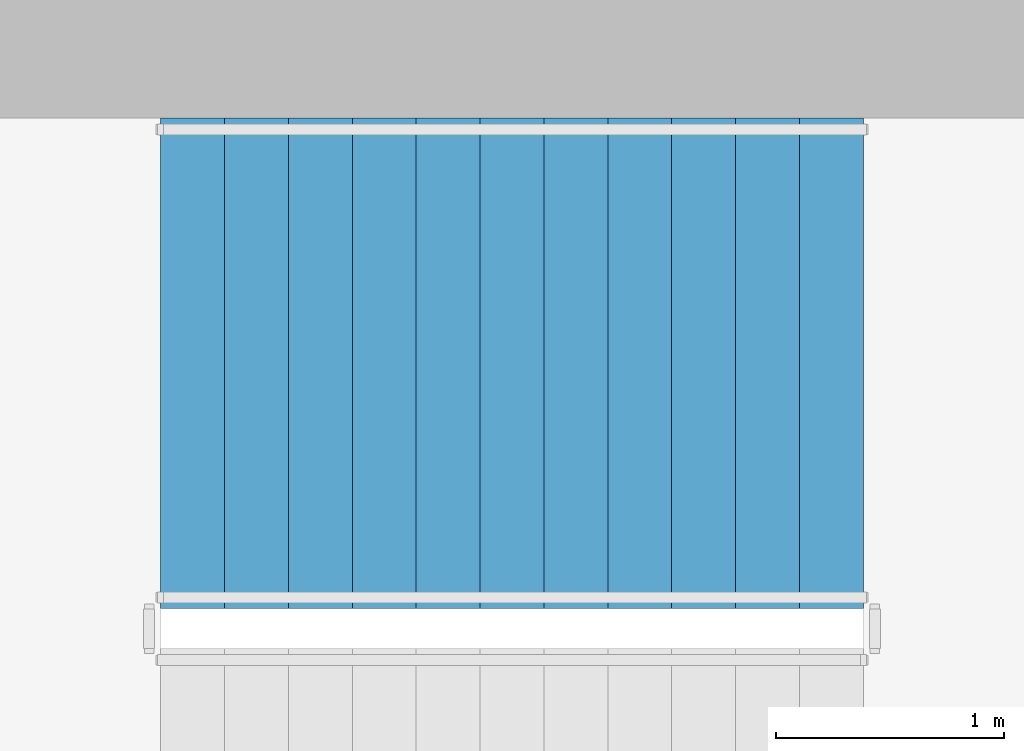
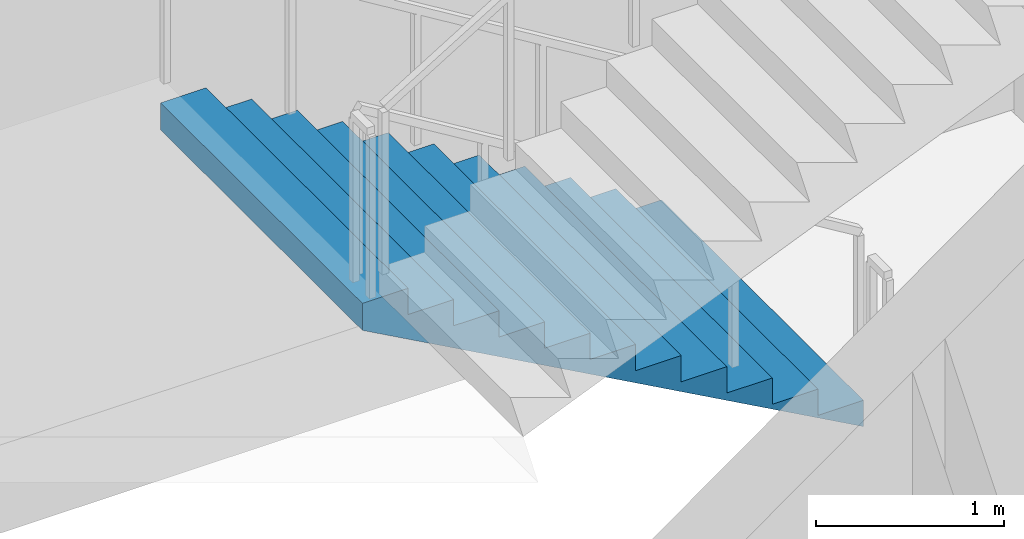
# One storey, part 9 of 14: 1 stair flight, 1 element without a shape of its own.
"""IFC4 building model written with IfcOpenShell, lengths in metres."""

from ifc_helpers import new_model, si_unit, direction, frame, origin, place, context, subcontext, project, spatial, triangles, material, type_object, element, aggregate, save


model = new_model("IFC4")

# Units and contexts
model_context = context("Model", 3, precision=1e-05, world=origin(), true_north=direction((0.0, 1.0)))
body_context = subcontext(model_context, "Body", "Model", "MODEL_VIEW")
ifc_project = project(units=[si_unit("LENGTHUNIT", "METRE"), si_unit("AREAUNIT", "SQUARE_METRE"), si_unit("VOLUMEUNIT", "CUBIC_METRE"), si_unit("PLANEANGLEUNIT", "RADIAN"), si_unit("MASSUNIT", "GRAM", prefix="KILO")], contexts=[model_context])

# Site, building, storey
site_placement = place(None, origin())
site = spatial("IfcSite", under=ifc_project, at=site_placement, CompositionType="ELEMENT")
building_placement = place(site_placement, origin())
building = spatial("IfcBuilding", under=site, at=building_placement, Name="Cypress Arch Tower", CompositionType="ELEMENT")
storey_placement = place(building_placement, frame((0.0, 0.0, 272.10009765625)))
storey = spatial("IfcBuildingStorey", under=building, at=storey_placement, Name="L61", CompositionType="ELEMENT", Elevation=272.10009765625)

# Stair, stair flight
ifc_material_1 = material(Name="Concrete C40/50", Category="concrete")
stair_type = type_object("IfcStairType", Name="Exit stair ES1708-215", PredefinedType="HALF_TURN_STAIR", material=ifc_material_1)
stair_placement = place(storey_placement, origin())
stair = element("IfcStair", 1, at=stair_placement, inside=storey, type_object=stair_type, Name="L61 Exit stair B", PredefinedType="HALF_TURN_STAIR")
ifc_material_2 = material(Name="Concrete C40/50", Category="concrete")
stair_flight_type = type_object("IfcStairFlightType", Name="Exit stair flight ES1708-215", PredefinedType="STRAIGHT", material=ifc_material_2)
stair_flight_placement = place(storey_placement, frame((-22.27490234375, 13.72509765625, 0.0), z_axis=(0.0, 0.0, 1.0), x_axis=(-1.0, 0.0, 0.0)))
stair_flight = element("IfcStairFlight", 2, at=stair_flight_placement, type_object=stair_flight_type, Name="B flight 1", NumberOfRisers=12, NumberOfTreads=11, PredefinedType="STRAIGHT", RiserHeight=0.170833333, TreadLength=0.28, context=body_context, shape_type="Tessellation", body=[
    triangles([(0.0, -1.074951171875, 0.0), (0.000244140625, -1.074951171875, 0.01904296875), (0.000244140625, -1.074951171875, 0.0380859375), (0.00048828125, -1.074951171875, 0.056884765625), (0.00048828125, -1.074951171875, 0.075927734375), (0.00048828125, -1.074951171875, 0.094970703125), (0.00048828125, -1.074951171875, 0.114013671875), (0.000244140625, -1.074951171875, 0.1328125), (0.000244140625, -1.074951171875, 0.15185546875), (0.0, -1.074951171875, 0.1708984375), (0.280029296875, -1.074951171875, 0.1708984375), (0.280029296875, -1.074951171875, 0.341552734375), (0.56005859375, -1.074951171875, 0.341552734375), (0.56005859375, -1.074951171875, 0.512451171875), (0.840087890625, -1.074951171875, 0.512451171875), (0.840087890625, -1.074951171875, 0.683349609375), (1.1201171875, -1.074951171875, 0.683349609375), (1.1201171875, -1.074951171875, 0.854248046875), (1.39990234375, -1.074951171875, 0.854248046875), (1.39990234375, -1.074951171875, 1.02490234375), (1.679931640625, -1.074951171875, 1.02490234375), (1.679931640625, -1.074951171875, 1.19580078125), (1.9599609375, -1.074951171875, 1.19580078125), (1.9599609375, -1.074951171875, 1.36669921875), (2.239990234375, -1.074951171875, 1.36669921875), (2.239990234375, -1.074951171875, 1.53759765625), (2.52001953125, -1.074951171875, 1.53759765625), (2.52001953125, -1.074951171875, 1.708251953125), (2.800048828125, -1.074951171875, 1.708251953125), (2.800048828125, -1.074951171875, 1.879150390625), (3.080078125, -1.074951171875, 1.879150390625), (3.079833984375, -1.074951171875, 1.859619140625), (3.079833984375, -1.074951171875, 1.840087890625), (3.07958984375, -1.074951171875, 1.820556640625), (3.07958984375, -1.074951171875, 1.801025390625), (3.07958984375, -1.074951171875, 1.78173828125), (3.07958984375, -1.074951171875, 1.76220703125), (3.079833984375, -1.074951171875, 1.74267578125), (3.079833984375, -1.074951171875, 1.72314453125), (3.080078125, -1.074951171875, 1.70361328125), (3.080078125, 1.074951171875, 1.70361328125), (3.079833984375, 1.074951171875, 1.72314453125), (3.079833984375, 1.074951171875, 1.74267578125), (3.07958984375, 1.074951171875, 1.76220703125), (3.07958984375, 1.074951171875, 1.78173828125), (3.07958984375, 1.074951171875, 1.801025390625), (3.07958984375, 1.074951171875, 1.820556640625), (3.079833984375, 1.074951171875, 1.840087890625), (3.079833984375, 1.074951171875, 1.859619140625), (3.080078125, 1.074951171875, 1.879150390625), (2.800048828125, 1.074951171875, 1.879150390625), (2.800048828125, 1.074951171875, 1.708251953125), (2.52001953125, 1.074951171875, 1.708251953125), (2.52001953125, 1.074951171875, 1.53759765625), (2.239990234375, 1.074951171875, 1.53759765625), (2.239990234375, 1.074951171875, 1.36669921875), (1.9599609375, 1.074951171875, 1.36669921875), (1.9599609375, 1.074951171875, 1.19580078125), (1.679931640625, 1.074951171875, 1.19580078125), (1.679931640625, 1.074951171875, 1.02490234375), (1.39990234375, 1.074951171875, 1.02490234375), (1.39990234375, 1.074951171875, 0.854248046875), (1.1201171875, 1.074951171875, 0.854248046875), (1.1201171875, 1.074951171875, 0.683349609375), (0.840087890625, 1.074951171875, 0.683349609375), (0.840087890625, 1.074951171875, 0.512451171875), (0.56005859375, 1.074951171875, 0.512451171875), (0.56005859375, 1.074951171875, 0.341552734375), (0.280029296875, 1.074951171875, 0.341552734375), (0.280029296875, 1.074951171875, 0.1708984375), (0.0, 1.074951171875, 0.1708984375), (0.000244140625, 1.074951171875, 0.15185546875), (0.000244140625, 1.074951171875, 0.1328125), (0.00048828125, 1.074951171875, 0.114013671875), (0.00048828125, 1.074951171875, 0.094970703125), (0.00048828125, 1.074951171875, 0.075927734375), (0.00048828125, 1.074951171875, 0.056884765625), (0.000244140625, 1.074951171875, 0.0380859375), (0.000244140625, 1.074951171875, 0.01904296875), (0.0, 1.074951171875, 0.0)], [[40, 39, 30], [39, 38, 30], [38, 37, 30], [37, 36, 30], [36, 35, 30], [35, 34, 30], [34, 33, 30], [33, 32, 30], [32, 31, 30], [19, 18, 17], [27, 26, 25], [25, 24, 23], [23, 22, 21], [17, 16, 15], [15, 14, 13], [10, 9, 11], [9, 8, 11], [8, 7, 11], [7, 6, 11], [6, 5, 11], [5, 4, 11], [4, 3, 11], [3, 2, 11], [2, 1, 11], [29, 28, 27], [21, 20, 19], [13, 12, 11], [40, 30, 29], [40, 29, 27], [40, 27, 25], [40, 25, 23], [40, 23, 21], [40, 21, 19], [40, 19, 17], [40, 17, 15], [40, 15, 13], [1, 40, 13], [13, 11, 1], [41, 51, 42], [42, 51, 43], [43, 51, 44], [44, 51, 45], [45, 51, 46], [46, 51, 47], [47, 51, 48], [48, 51, 49], [49, 51, 50], [62, 64, 63], [54, 56, 55], [56, 58, 57], [58, 60, 59], [64, 66, 65], [66, 68, 67], [71, 70, 72], [72, 70, 73], [73, 70, 74], [74, 70, 75], [75, 70, 76], [76, 70, 77], [77, 70, 78], [78, 70, 79], [79, 70, 80], [52, 54, 53], [60, 62, 61], [68, 70, 69], [41, 52, 51], [41, 54, 52], [41, 56, 54], [41, 58, 56], [41, 60, 58], [41, 62, 60], [41, 64, 62], [41, 66, 64], [41, 68, 66], [80, 68, 41], [68, 80, 70], [41, 42, 39], [41, 39, 40], [42, 43, 38], [42, 38, 39], [43, 44, 37], [43, 37, 38], [44, 45, 36], [44, 36, 37], [45, 46, 35], [45, 35, 36], [46, 47, 34], [46, 34, 35], [47, 48, 33], [47, 33, 34], [48, 49, 32], [48, 32, 33], [49, 50, 31], [49, 31, 32], [50, 51, 30], [50, 30, 31], [51, 52, 29], [51, 29, 30], [52, 53, 28], [52, 28, 29], [53, 54, 27], [53, 27, 28], [54, 55, 26], [54, 26, 27], [55, 56, 25], [55, 25, 26], [56, 57, 24], [56, 24, 25], [57, 58, 23], [57, 23, 24], [58, 59, 22], [58, 22, 23], [59, 60, 21], [59, 21, 22], [60, 61, 20], [60, 20, 21], [61, 62, 19], [61, 19, 20], [62, 63, 18], [62, 18, 19], [63, 64, 17], [63, 17, 18], [64, 65, 16], [64, 16, 17], [65, 66, 15], [65, 15, 16], [66, 67, 14], [66, 14, 15], [67, 68, 13], [67, 13, 14], [68, 69, 12], [68, 12, 13], [69, 70, 11], [69, 11, 12], [70, 71, 10], [70, 10, 11], [71, 72, 9], [71, 9, 10], [72, 73, 8], [72, 8, 9], [73, 74, 7], [73, 7, 8], [74, 75, 6], [74, 6, 7], [75, 76, 5], [75, 5, 6], [76, 77, 4], [76, 4, 5], [77, 78, 3], [77, 3, 4], [78, 79, 2], [78, 2, 3], [79, 80, 1], [79, 1, 2], [80, 41, 40], [80, 40, 1]], closed=True),
])
aggregate(stair, [stair_flight])

save(model, "model.ifc")
